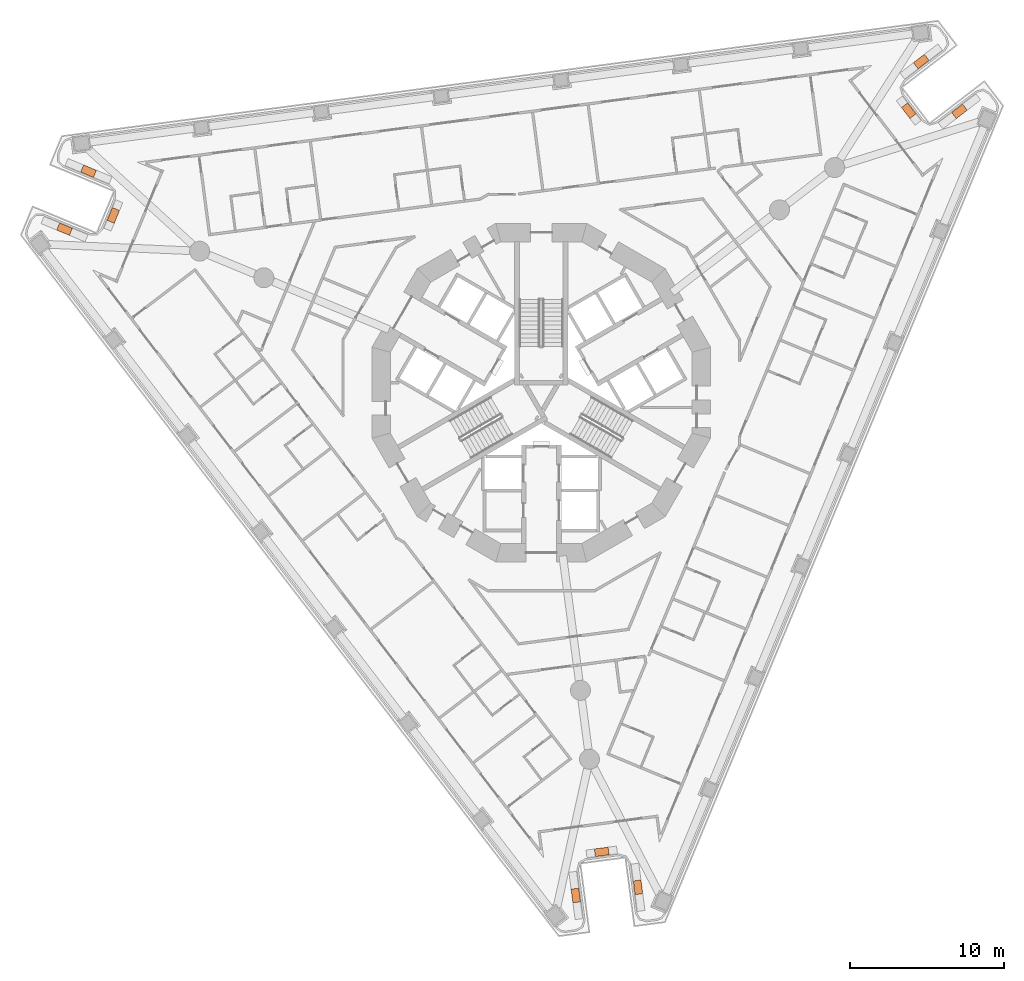
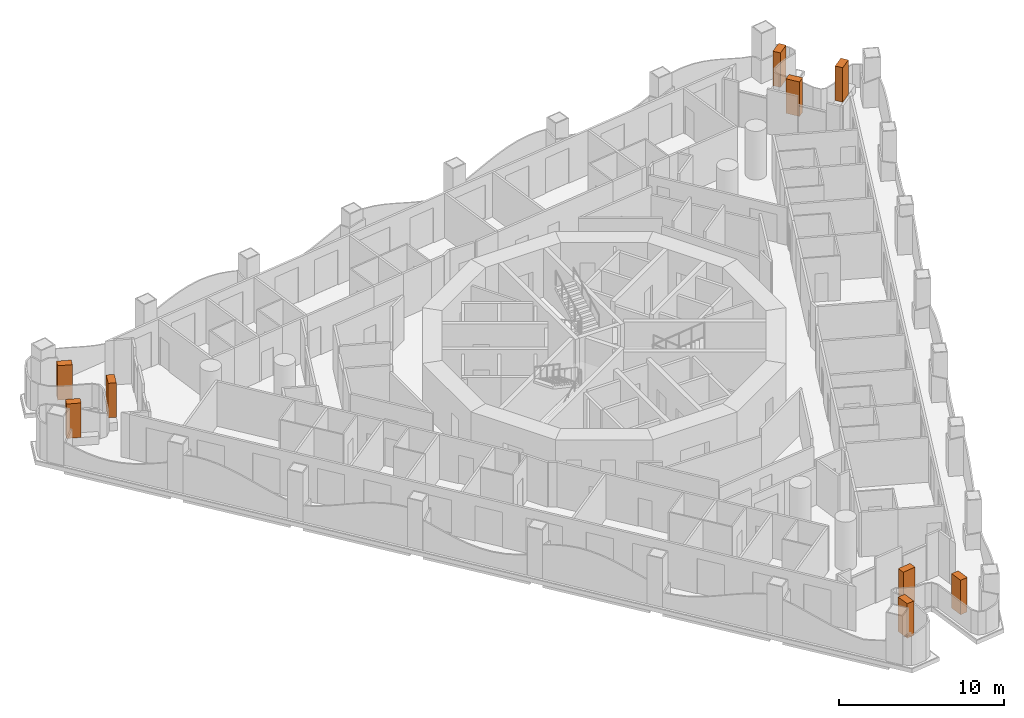
# One storey, part 19 of 19: 9 geographic elements.
"""IFC4 building model written with IfcOpenShell, lengths in metres."""

from ifc_helpers import new_model, si_unit, direction, frame, origin, origin_2d, place, context, subcontext, project, spatial, rectangle, extrude, element, save


model = new_model("IFC4")

# Units and contexts
model_context = context("Model", 3, precision=1e-05, world=origin(), true_north=direction((0.0, 1.0)))
body_context = subcontext(model_context, "Body", "Model", "MODEL_VIEW")
ifc_project = project(units=[si_unit("LENGTHUNIT", "METRE"), si_unit("AREAUNIT", "SQUARE_METRE"), si_unit("VOLUMEUNIT", "CUBIC_METRE"), si_unit("PLANEANGLEUNIT", "RADIAN"), si_unit("MASSUNIT", "GRAM", prefix="KILO")], contexts=[model_context])

# Site, building, storey
site_placement = place(None, origin())
site = spatial("IfcSite", under=ifc_project, at=site_placement, CompositionType="ELEMENT")
building_placement = place(site_placement, origin())
building = spatial("IfcBuilding", under=site, at=building_placement, Name="Trine Commons Tower", CompositionType="ELEMENT")
storey_placement = place(building_placement, frame((0.0, 0.0, 68.39990234375)))
storey = spatial("IfcBuildingStorey", under=building, at=storey_placement, Name="L16", CompositionType="ELEMENT", Elevation=68.39990234375)

# Geographic elements
for number, where, z_axis, x_axis, name in (
    (1, (49.005126953125, 73.13037109375, 0.60009765625), (0.0, 0.0, 1.0), (0.923885543575, -0.382668920052, 0.0), "Tree 1.1"),
    (2, (52.1787109375, 74.02392578125, 0.60009765625), (0.0, 0.0, 1.0), (0.382688269782, 0.923877528773, 0.0), "Tree 2.1"),
    (3, (50.56640625, 76.89990234375, 0.60009765625), (0.0, 0.0, 1.0), (-0.923885543575, 0.382668920052, 0.0), "Tree 3.1"),
    (4, (104.70361328125, 84.027099609375, 0.60009765625), (0.0, 0.0, 1.0), (-0.793358652707, -0.608754505672, 0.0), "Tree 4.1"),
    (5, (103.890625, 80.831787109375, 0.60009765625), (0.0, 0.0, 1.0), (0.608735120081, -0.793373527148, 0.0), "Tree 5.1"),
    (6, (107.187255859375, 80.790283203125, 0.60009765625), (0.0, 0.0, 1.0), (0.793358652707, 0.608754505672, 0.0), "Tree 6.1"),
    (7, (86.291259765625, 30.342529296875, 0.60009765625), (0.0, 0.0, 1.0), (-0.130517540226, 0.991446000392, 0.0), "Tree 7.1"),
    (8, (83.9306640625, 32.64404296875, 0.60009765625), (0.0, 0.0, 1.0), (-0.991442583111, -0.130543496177, 0.0), "Tree 8.1"),
    (9, (82.24609375, 29.81005859375, 0.60009765625), (0.0, 0.0, 1.0), (0.130546956964, -0.991442127422, 0.0), "Tree 9.1"),
):
    element("IfcGeographicElement", number, at=place(storey_placement, frame(where, z_axis=z_axis, x_axis=x_axis)), inside=storey, Name=name, ObjectType="TREE Tabebuia rosea", PredefinedType="USERDEFINED", context=body_context, shape_type="SweptSolid", body=[
        extrude(rectangle(XDim=0.89990234375, YDim=0.5, at=origin_2d()), origin(), (0.0, 0.0, 1.0), 2.550048828125),
    ])

save(model, "model.ifc")
